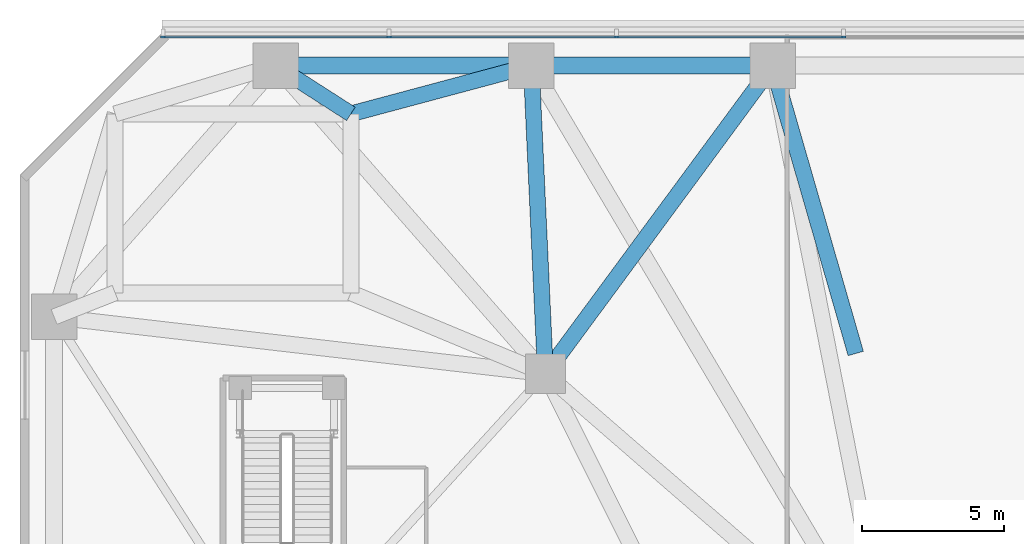
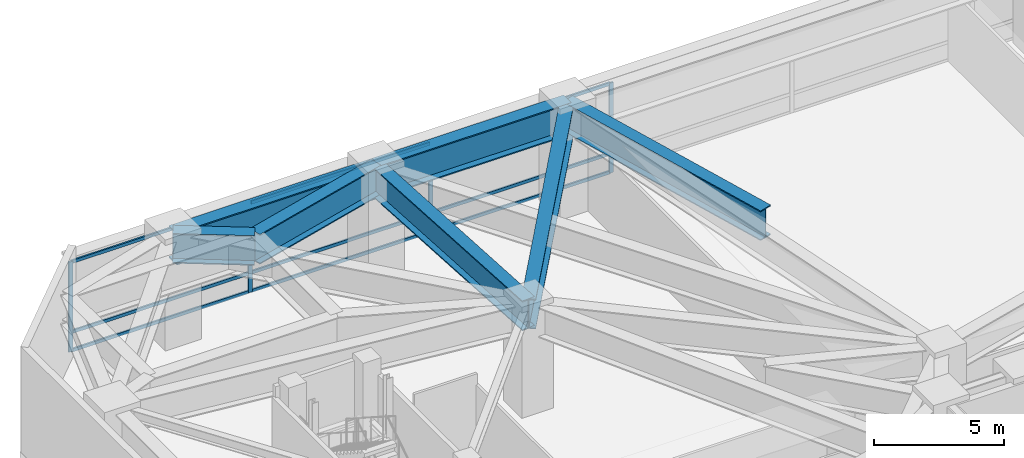
# One storey, part 9 of 27: 13 members, 7 beams, 1 element without a shape of its own.
"""IFC4 building model written with IfcOpenShell, lengths in metres."""

from ifc_helpers import new_model, si_unit, direction, frame, origin, origin_2d, place, context, subcontext, project, spatial, rectangle, i_section, extrude, material, layer, layer_set, material_profile, profile_set, type_object, element, aggregate, save


model = new_model("IFC4")

# Units and contexts
model_context = context("Model", 3, precision=1e-05, world=origin(), true_north=direction((0.0, 1.0)))
body_context = subcontext(model_context, "Body", "Model", "MODEL_VIEW")
ifc_project = project(units=[si_unit("LENGTHUNIT", "METRE"), si_unit("AREAUNIT", "SQUARE_METRE"), si_unit("VOLUMEUNIT", "CUBIC_METRE"), si_unit("PLANEANGLEUNIT", "RADIAN"), si_unit("MASSUNIT", "GRAM", prefix="KILO")], contexts=[model_context])

# Site, building, storey
site_placement = place(None, origin())
site = spatial("IfcSite", under=ifc_project, at=site_placement, CompositionType="ELEMENT")
building_placement = place(site_placement, origin())
building = spatial("IfcBuilding", under=site, at=building_placement, Name="Terralouvre Media Tower", CompositionType="ELEMENT")
storey_placement = place(building_placement, frame((0.0, 0.0, 20.800048828125)))
storey = spatial("IfcBuildingStorey", under=building, at=storey_placement, Name="L04", CompositionType="ELEMENT", Elevation=20.800048828125)

# Curtain wall, members
ifc_material_1 = material(Name="Low-iron laminated double glazing with solar-control coating", Category="glass")
ifc_layer = layer(ifc_material_1, 0.1650390625, Name="Podium Broadcast Gallery Glazing CW-01")
ifc_layer_set = layer_set([ifc_layer], Name="Low-iron laminated double glazing with solar-control coating")
curtain_wall_type = type_object("IfcCurtainWallType", Name="Podium Broadcast Gallery Glazing CW-01", PredefinedType="NOTDEFINED", material=ifc_layer_set)
curtain_wall_placement = place(storey_placement, origin())
curtain_wall = element("IfcCurtainWall", 1, at=curtain_wall_placement, inside=storey, type_object=curtain_wall_type, Name="L04 Podium Curtain Wall F4", PredefinedType="NOTDEFINED")
ifc_material_2 = material(Name="Anodised extruded aluminium 6063-T6", Category="aluminium")
ifc_material_profile_1 = material_profile(ifc_material_2, rectangle(XDim=0.074951171875, YDim=0.14990234375, at=origin_2d()), Name="ALU 75x150")
ifc_profile_set_1 = profile_set([ifc_material_profile_1], Name="Anodised extruded aluminium 6063-T6")
member_type_1 = type_object("IfcMemberType", Name="Curtain-Wall Horizontal Transom TR-150", PredefinedType="USERDEFINED", material=ifc_profile_set_1)
member_1_placement = place(storey_placement, frame((-8.03759765625, 33.360107421875, 0.037353515625), z_axis=(-1.0, 0.0, 0.0), x_axis=(0.0, -1.0, 0.0)))
member_1 = element("IfcMember", 2, at=member_1_placement, type_object=member_type_1, Name="CW-01 transom 6.1", ObjectType="TRANSOM", PredefinedType="USERDEFINED", context=body_context, shape_type="SweptSolid", body=[
    extrude(rectangle(XDim=0.074951171875, YDim=0.14990234375, at=origin_2d()), origin(), (0.0, 0.0, 1.0), 7.9248046875),
])
member_2_placement = place(storey_placement, frame((-8.03759765625, 33.360107421875, 0.89990234375), z_axis=(-1.0, 0.0, 0.0), x_axis=(0.0, -1.0, 0.0)))
member_2 = element("IfcMember", 3, at=member_2_placement, type_object=member_type_1, Name="CW-01 transom 6.2", ObjectType="TRANSOM", PredefinedType="USERDEFINED", context=body_context, shape_type="SweptSolid", body=[
    extrude(rectangle(XDim=0.074951171875, YDim=0.14990234375, at=origin_2d()), origin(), (0.0, 0.0, 1.0), 7.9248046875),
])
member_3_placement = place(storey_placement, frame((-8.03759765625, 33.360107421875, 4.182373046875), z_axis=(-1.0, 0.0, 0.0), x_axis=(0.0, -1.0, 0.0)))
member_3 = element("IfcMember", 4, at=member_3_placement, type_object=member_type_1, Name="CW-01 transom 6.3", ObjectType="TRANSOM", PredefinedType="USERDEFINED", context=body_context, shape_type="SweptSolid", body=[
    extrude(rectangle(XDim=0.074951171875, YDim=0.14990234375, at=origin_2d()), origin(), (0.0, 0.0, 1.0), 7.9248046875),
])
member_4_placement = place(storey_placement, frame((-16.03759765625, 33.360107421875, 0.037353515625), z_axis=(-1.0, 0.0, 0.0), x_axis=(0.0, -1.0, 0.0)))
member_4 = element("IfcMember", 5, at=member_4_placement, type_object=member_type_1, Name="CW-01 transom 7.1", ObjectType="TRANSOM", PredefinedType="USERDEFINED", context=body_context, shape_type="SweptSolid", body=[
    extrude(rectangle(XDim=0.074951171875, YDim=0.14990234375, at=origin_2d()), origin(), (0.0, 0.0, 1.0), 7.9248046875),
])
member_5_placement = place(storey_placement, frame((-16.03759765625, 33.360107421875, 0.89990234375), z_axis=(-1.0, 0.0, 0.0), x_axis=(0.0, -1.0, 0.0)))
member_5 = element("IfcMember", 6, at=member_5_placement, type_object=member_type_1, Name="CW-01 transom 7.2", ObjectType="TRANSOM", PredefinedType="USERDEFINED", context=body_context, shape_type="SweptSolid", body=[
    extrude(rectangle(XDim=0.074951171875, YDim=0.14990234375, at=origin_2d()), origin(), (0.0, 0.0, 1.0), 7.9248046875),
])
member_6_placement = place(storey_placement, frame((-16.03759765625, 33.360107421875, 4.182373046875), z_axis=(-1.0, 0.0, 0.0), x_axis=(0.0, -1.0, 0.0)))
member_6 = element("IfcMember", 7, at=member_6_placement, type_object=member_type_1, Name="CW-01 transom 7.3", ObjectType="TRANSOM", PredefinedType="USERDEFINED", context=body_context, shape_type="SweptSolid", body=[
    extrude(rectangle(XDim=0.074951171875, YDim=0.14990234375, at=origin_2d()), origin(), (0.0, 0.0, 1.0), 7.9248046875),
])
member_7_placement = place(storey_placement, frame((-24.03759765625, 33.360107421875, 0.037353515625), z_axis=(-1.0, 0.0, 0.0), x_axis=(0.0, -1.0, 0.0)))
member_7 = element("IfcMember", 8, at=member_7_placement, type_object=member_type_1, Name="CW-01 transom 8.1", ObjectType="TRANSOM", PredefinedType="USERDEFINED", context=body_context, shape_type="SweptSolid", body=[
    extrude(rectangle(XDim=0.074951171875, YDim=0.14990234375, at=origin_2d()), origin(), (0.0, 0.0, 1.0), 7.887451171875),
])
member_8_placement = place(storey_placement, frame((-24.03759765625, 33.360107421875, 0.89990234375), z_axis=(-1.0, 0.0, 0.0), x_axis=(0.0, -1.0, 0.0)))
member_8 = element("IfcMember", 9, at=member_8_placement, type_object=member_type_1, Name="CW-01 transom 8.2", ObjectType="TRANSOM", PredefinedType="USERDEFINED", context=body_context, shape_type="SweptSolid", body=[
    extrude(rectangle(XDim=0.074951171875, YDim=0.14990234375, at=origin_2d()), origin(), (0.0, 0.0, 1.0), 7.887451171875),
])
member_9_placement = place(storey_placement, frame((-24.03759765625, 33.360107421875, 4.182373046875), z_axis=(-1.0, 0.0, 0.0), x_axis=(0.0, -1.0, 0.0)))
member_9 = element("IfcMember", 10, at=member_9_placement, type_object=member_type_1, Name="CW-01 transom 8.3", ObjectType="TRANSOM", PredefinedType="USERDEFINED", context=body_context, shape_type="SweptSolid", body=[
    extrude(rectangle(XDim=0.074951171875, YDim=0.14990234375, at=origin_2d()), origin(), (0.0, 0.0, 1.0), 7.887451171875),
])
ifc_material_3 = material(Name="Anodised extruded aluminium 6063-T6", Category="aluminium")
ifc_material_profile_2 = material_profile(ifc_material_3, rectangle(XDim=0.074951171875, YDim=0.179931640625, at=origin_2d()), Name="ALU 75x180")
ifc_profile_set_2 = profile_set([ifc_material_profile_2], Name="Anodised extruded aluminium 6063-T6")
member_type_2 = type_object("IfcMemberType", Name="Curtain-Wall Vertical Mullion ML-180", PredefinedType="MULLION", material=ifc_profile_set_2)
member_10_placement = place(storey_placement, frame((-8.0, 33.360107421875, 0.0), z_axis=(0.0, 0.0, 1.0), x_axis=(0.0, -1.0, 0.0)))
member_10 = element("IfcMember", 11, at=member_10_placement, type_object=member_type_2, Name="CW-01 mullion 6", PredefinedType="MULLION", context=body_context, shape_type="SweptSolid", body=[
    extrude(rectangle(XDim=0.074951171875, YDim=0.179931640625, at=origin_2d()), origin(), (0.0, 0.0, 1.0), 4.219970703125),
])
member_11_placement = place(storey_placement, frame((-16.0, 33.360107421875, 0.0), z_axis=(0.0, 0.0, 1.0), x_axis=(0.0, -1.0, 0.0)))
member_11 = element("IfcMember", 12, at=member_11_placement, type_object=member_type_2, Name="CW-01 mullion 7", PredefinedType="MULLION", context=body_context, shape_type="SweptSolid", body=[
    extrude(rectangle(XDim=0.074951171875, YDim=0.179931640625, at=origin_2d()), origin(), (0.0, 0.0, 1.0), 4.219970703125),
])
member_12_placement = place(storey_placement, frame((-24.0, 33.360107421875, 0.0), z_axis=(0.0, 0.0, 1.0), x_axis=(0.0, -1.0, 0.0)))
member_12 = element("IfcMember", 13, at=member_12_placement, type_object=member_type_2, Name="CW-01 mullion 8", PredefinedType="MULLION", context=body_context, shape_type="SweptSolid", body=[
    extrude(rectangle(XDim=0.074951171875, YDim=0.179931640625, at=origin_2d()), origin(), (0.0, 0.0, 1.0), 4.219970703125),
])
member_13_placement = place(storey_placement, frame((-31.96240234375, 33.360107421875, 0.0), z_axis=(0.0, 0.0, 1.0), x_axis=(0.0, -1.0, 0.0)))
member_13 = element("IfcMember", 14, at=member_13_placement, type_object=member_type_2, Name="CW-01 mullion 9", PredefinedType="MULLION", context=body_context, shape_type="SweptSolid", body=[
    extrude(rectangle(XDim=0.074951171875, YDim=0.179931640625, at=origin_2d()), origin(), (0.0, 0.0, 1.0), 4.219970703125),
])
aggregate(curtain_wall, [member_10, member_11, member_12, member_13, member_1, member_2, member_3, member_4, member_5, member_6, member_7, member_8, member_9])

# Beams
ifc_material_4 = material(Name="Structural steel S460M", Category="steel")
ifc_material_profile_3 = material_profile(ifc_material_4, i_section(OverallWidth=0.56005859375, OverallDepth=1.39990234375, WebThickness=0.031982421875, FlangeThickness=0.050048828125, at=origin_2d()), Name="TG 1400x560")
ifc_profile_set_3 = profile_set([ifc_material_profile_3], Name="Structural steel S460M")
beam_type_1 = type_object("IfcBeamType", Name="Welded Transfer Girder TG-1400 (TG 1400x560)", PredefinedType="USERDEFINED", material=ifc_profile_set_3)
beam_1_placement = place(storey_placement, frame((-18.5, 21.5, 4.239990234375), z_axis=(-0.046033681898, 0.998939888147, 0.0), x_axis=(-0.998939888147, -0.046033681898, 0.0)))
element("IfcBeam", 15, at=beam_1_placement, inside=storey, type_object=beam_type_1, Name="L04 Framing Beam BM-L04-PM19P1", ObjectType="TRANSFER GIRDER", PredefinedType="USERDEFINED", context=body_context, shape_type="SweptSolid", body=[
    extrude(i_section(OverallWidth=0.56005859375, OverallDepth=1.39990234375, WebThickness=0.031982421875, FlangeThickness=0.050048828125, at=origin_2d()), origin(), (0.0, 0.0, 1.0), 10.861572265625),
])
beam_2_placement = place(storey_placement, frame((-18.5, 21.5, 4.239990234375), z_axis=(0.593448591359, 0.804871896276, 0.0), x_axis=(-0.804871896276, 0.593448591359, 0.0)))
element("IfcBeam", 16, at=beam_2_placement, inside=storey, type_object=beam_type_1, Name="L04 Framing Beam BM-L04-PM19P2", ObjectType="TRANSFER GIRDER", PredefinedType="USERDEFINED", context=body_context, shape_type="SweptSolid", body=[
    extrude(i_section(OverallWidth=0.56005859375, OverallDepth=1.39990234375, WebThickness=0.031982421875, FlangeThickness=0.050048828125, at=origin_2d()), origin(), (0.0, 0.0, 1.0), 13.48046875),
])
beam_3_placement = place(storey_placement, frame((-7.574951171875, 22.21337890625, 4.239990234375), z_axis=(-0.277247745477, 0.960798463585, 0.0), x_axis=(-0.960798463585, -0.277247745477, 0.0)))
element("IfcBeam", 17, at=beam_3_placement, inside=storey, type_object=beam_type_1, Name="L04 Framing Beam BM-L04-TR07F1", ObjectType="TRANSFER GIRDER", PredefinedType="USERDEFINED", context=body_context, shape_type="SweptSolid", body=[
    extrude(i_section(OverallWidth=0.56005859375, OverallDepth=1.39990234375, WebThickness=0.031982421875, FlangeThickness=0.050048828125, at=origin_2d()), origin(), (0.0, 0.0, 1.0), 10.55029296875),
])
beam_4_placement = place(storey_placement, frame((-25.35009765625, 30.64990234375, 4.239990234375), z_axis=(-0.841656843752, 0.540012738151, 0.0), x_axis=(-0.540012738151, -0.841656843752, 0.0)))
element("IfcBeam", 18, at=beam_4_placement, inside=storey, type_object=beam_type_1, Name="L04 Framing Beam BM-L04-TR19S1", ObjectType="TRANSFER GIRDER", PredefinedType="USERDEFINED", context=body_context, shape_type="SweptSolid", body=[
    extrude(i_section(OverallWidth=0.56005859375, OverallDepth=1.39990234375, WebThickness=0.031982421875, FlangeThickness=0.050048828125, at=origin_2d()), origin(), (0.0, 0.0, 1.0), 3.1484375),
])
beam_5_placement = place(storey_placement, frame((-25.35009765625, 30.64990234375, 4.239990234375), z_axis=(0.965975560225, 0.258633364145, 0.0), x_axis=(-0.258633364145, 0.965975560225, 0.0)))
element("IfcBeam", 19, at=beam_5_placement, inside=storey, type_object=beam_type_1, Name="L04 Framing Beam BM-L04-TR19S2", ObjectType="TRANSFER GIRDER", PredefinedType="USERDEFINED", context=body_context, shape_type="SweptSolid", body=[
    extrude(i_section(OverallWidth=0.56005859375, OverallDepth=1.39990234375, WebThickness=0.031982421875, FlangeThickness=0.050048828125, at=origin_2d()), origin(), (0.0, 0.0, 1.0), 6.57373046875),
])
ifc_material_5 = material(Name="Structural steel S460M", Category="steel")
ifc_material_profile_4 = material_profile(ifc_material_5, i_section(OverallWidth=0.60009765625, OverallDepth=1.5, WebThickness=0.033935546875, FlangeThickness=0.054931640625, at=origin_2d()), Name="PG 1500x600")
ifc_profile_set_4 = profile_set([ifc_material_profile_4], Name="Structural steel S460M")
beam_type_2 = type_object("IfcBeamType", Name="Welded Transfer Girder TG-1500 (PG 1500x600)", PredefinedType="USERDEFINED", material=ifc_profile_set_4)
beam_6_placement = place(storey_placement, frame((-10.5, 32.35009765625, 4.18994140625), z_axis=(-1.0, 0.0, 0.0), x_axis=(0.0, -1.0, 0.0)))
element("IfcBeam", 20, at=beam_6_placement, inside=storey, type_object=beam_type_2, Name="L04 Framing Beam BM-L04-PR14", ObjectType="TRANSFER GIRDER", PredefinedType="USERDEFINED", context=body_context, shape_type="SweptSolid", body=[
    extrude(i_section(OverallWidth=0.60009765625, OverallDepth=1.5, WebThickness=0.033935546875, FlangeThickness=0.054931640625, at=origin_2d()), origin(), (0.0, 0.0, 1.0), 8.5),
])
beam_7_placement = place(storey_placement, frame((-19.0, 32.35009765625, 4.18994140625), z_axis=(-1.0, 0.0, 0.0), x_axis=(0.0, -1.0, 0.0)))
element("IfcBeam", 21, at=beam_7_placement, inside=storey, type_object=beam_type_2, Name="L04 Framing Beam BM-L04-PR15", ObjectType="TRANSFER GIRDER", PredefinedType="USERDEFINED", context=body_context, shape_type="SweptSolid", body=[
    extrude(i_section(OverallWidth=0.60009765625, OverallDepth=1.5, WebThickness=0.033935546875, FlangeThickness=0.054931640625, at=origin_2d()), origin(), (0.0, 0.0, 1.0), 9.0),
])

save(model, "model.ifc")
